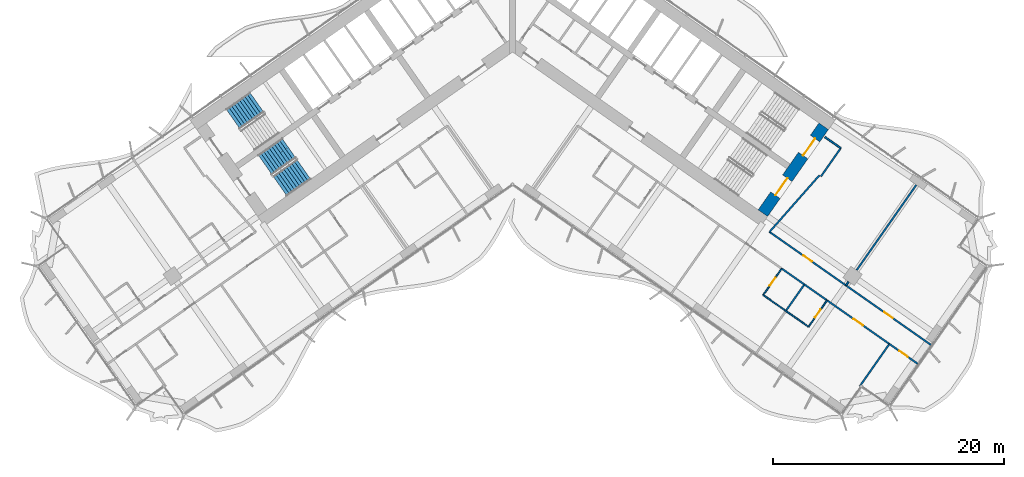
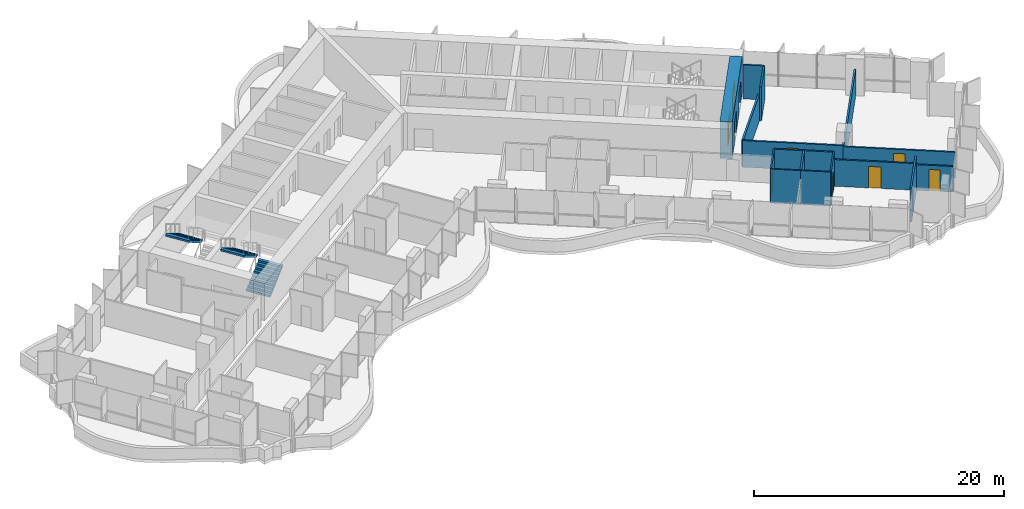
# One storey, part 15 of 22: 18 walls, 8 doors, 3 stair flights, 8 openings, 2 elements without a shape of their own.
"""IFC4 building model written with IfcOpenShell, lengths in metres."""

from ifc_helpers import new_model, si_unit, direction, frame, frame_2d, origin, place, context, subcontext, project, spatial, polyline, rectangle, outline, extrude, material, layer, layer_set, type_object, element, fill, aggregate, save


model = new_model("IFC4")

# Units and contexts
model_context = context("Model", 3, precision=1e-05, world=origin(), true_north=direction((0.0, 1.0)))
body_context = subcontext(model_context, "Body", "Model", "MODEL_VIEW")
ifc_project = project(units=[si_unit("LENGTHUNIT", "METRE"), si_unit("AREAUNIT", "SQUARE_METRE"), si_unit("VOLUMEUNIT", "CUBIC_METRE"), si_unit("PLANEANGLEUNIT", "RADIAN"), si_unit("MASSUNIT", "GRAM", prefix="KILO")], contexts=[model_context])

# Site, building, storey
site_placement = place(None, origin())
site = spatial("IfcSite", under=ifc_project, at=site_placement, CompositionType="ELEMENT")
building_placement = place(site_placement, origin())
building = spatial("IfcBuilding", under=site, at=building_placement, Name="Tel Ilan Convention Tower", CompositionType="ELEMENT")
storey_placement = place(building_placement, frame((0.0, 0.0, 122.89990234375)))
storey = spatial("IfcBuildingStorey", under=building, at=storey_placement, Name="L27", CompositionType="ELEMENT", Elevation=122.89990234375)

# Wall, openings, doors
ifc_material_1 = material(Name="Concrete C60/75", Category="concrete")
ifc_layer_1 = layer(ifc_material_1, 1.0)
ifc_layer_set_1 = layer_set([ifc_layer_1], Name="Core Shear Wall 1000 mm C60/75")
wall_type_1 = type_object("IfcWallType", Name="Core Shear Wall 1000 mm C60/75", PredefinedType="SHEAR", material=ifc_layer_set_1)
wall_1_placement = place(storey_placement, frame((21.70751953125, -15.19970703125, 0.0), z_axis=(0.0, 0.0, 1.0), x_axis=(0.573576324356, 0.819152122709, 0.0)))
wall_1 = element("IfcWall", 1, at=wall_1_placement, inside=storey, type_object=wall_type_1, Name="L27 core wall E-end", PredefinedType="SHEAR", context=body_context, shape_type="SweptSolid", body=[
    extrude(outline(polyline([(9.199951171875, 0.5), (0.0, 0.5), (0.0, -0.5), (9.199951171875, -0.5), (9.199951171875, 0.5)])), origin(), (0.0, 0.0, 1.0), 3.60009765625),
])
opening_1_placement = place(wall_1_placement, frame((6.10009765625, 0.0, 0.0)))
opening_1 = element("IfcOpeningElement", 2, at=opening_1_placement, cuts=wall_1, Name="Opening SD2103", PredefinedType="OPENING", context=body_context, shape_type="SweptSolid", body=[
    extrude(rectangle(XDim=1.800048828125, YDim=2.10009765625, at=frame_2d((0.89990234375, 1.050048828125))), frame((0.0, 0.510009765625, 0.0), z_axis=(0.0, -1.0, 0.0), x_axis=(1.0, 0.0, 0.0)), (0.0, 0.0, 1.0), 1.02001953125),
])
opening_2_placement = place(wall_1_placement, frame((1.89990234375, 0.0, 0.0)))
opening_2 = element("IfcOpeningElement", 3, at=opening_2_placement, cuts=wall_1, Name="Opening SD2104", PredefinedType="OPENING", context=body_context, shape_type="SweptSolid", body=[
    extrude(rectangle(XDim=1.800048828125, YDim=2.10009765625, at=frame_2d((0.89990234375, 1.050048828125))), frame((0.0, 0.510009765625, 0.0), z_axis=(0.0, -1.0, 0.0), x_axis=(1.0, 0.0, 0.0)), (0.0, 0.0, 1.0), 1.02001953125),
])
ifc_material_2 = material(Name="Galvanised Steel Door Leaf", Category="steel")
door_type_1 = type_object("IfcDoorType", Name="Stair Fire Door 1800 x 2100 FD60S", OperationType="NOTDEFINED", PredefinedType="DOOR", material=ifc_material_2)
door_1_placement = place(opening_1_placement, origin())
door_1 = element("IfcDoor", 4, at=door_1_placement, inside=storey, type_object=door_type_1, Name="Stair S3 door", OperationType="DOUBLE_DOOR_SINGLE_SWING", OverallHeight=2.10009765625, OverallWidth=1.800048828125, PredefinedType="DOOR", context=body_context, shape_type="SweptSolid", body=[
    extrude(rectangle(XDim=1.800048828125, YDim=2.10009765625, at=frame_2d((0.89990234375, 1.050048828125))), frame((0.0, 0.02490234375, 0.0), z_axis=(0.0, -1.0, 0.0), x_axis=(1.0, 0.0, 0.0)), (0.0, 0.0, 1.0), 0.050048828125),
])
fill(opening_1, door_1)
door_2_placement = place(opening_2_placement, origin())
door_2 = element("IfcDoor", 5, at=door_2_placement, inside=storey, type_object=door_type_1, Name="Stair S4 door", OperationType="DOUBLE_DOOR_SINGLE_SWING", OverallHeight=2.10009765625, OverallWidth=1.800048828125, PredefinedType="DOOR", context=body_context, shape_type="SweptSolid", body=[
    extrude(rectangle(XDim=1.800048828125, YDim=2.10009765625, at=frame_2d((0.89990234375, 1.050048828125))), frame((0.0, 0.02490234375, 0.0), z_axis=(0.0, -1.0, 0.0), x_axis=(1.0, 0.0, 0.0)), (0.0, 0.0, 1.0), 0.050048828125),
])
fill(opening_2, door_2)

# Wall, opening, door
ifc_material_3 = material(Name="Plasterboard on Steel Studs", Category="steel")
ifc_layer_2 = layer(ifc_material_3, 0.14990234375)
ifc_layer_set_2 = layer_set([ifc_layer_2], Name="Fire-rated Partition 150 EI 60")
wall_type_2 = type_object("IfcWallType", Name="Fire-rated Partition 150 EI 60", PredefinedType="PARTITIONING", material=ifc_layer_set_2)
wall_2_placement = place(storey_placement, frame((22.28369140625, -16.823974609375, 0.0), z_axis=(0.0, 0.0, 1.0), x_axis=(0.819152599934, -0.573575642807, 0.0)))
wall_2 = element("IfcWall", 6, at=wall_2_placement, inside=storey, type_object=wall_type_2, Name="Partition 001", PredefinedType="PARTITIONING", context=body_context, shape_type="SweptSolid", body=[
    extrude(rectangle(XDim=8.098388671875, YDim=0.14990234375, at=frame_2d((4.04931640625, 0.0))), origin(), (0.0, 0.0, 1.0), 2.60009765625),
])
opening_3_placement = place(wall_2_placement, frame((3.59912109375, 0.0, 0.0)))
opening_3 = element("IfcOpeningElement", 7, at=opening_3_placement, cuts=wall_2, Name="Opening L27-025", PredefinedType="OPENING", context=body_context, shape_type="SweptSolid", body=[
    extrude(rectangle(XDim=0.89990234375, YDim=2.10009765625, at=frame_2d((0.449951171875, 1.050048828125))), frame((0.0, 0.0849609375, 0.0), z_axis=(0.0, -1.0, 0.0), x_axis=(1.0, 0.0, 0.0)), (0.0, 0.0, 1.0), 0.169921875),
])
ifc_material_4 = material(Name="Timber Door Leaf in Steel Frame", Category="steel")
door_type_2 = type_object("IfcDoorType", Name="Room Fire Door 900x2100", OperationType="NOTDEFINED", PredefinedType="DOOR", material=ifc_material_4)
door_3_placement = place(opening_3_placement, origin())
door_3 = element("IfcDoor", 8, at=door_3_placement, inside=storey, type_object=door_type_2, Name="Door L27-025", OperationType="SINGLE_SWING_LEFT", OverallHeight=2.10009765625, OverallWidth=0.89990234375, PredefinedType="DOOR", context=body_context, shape_type="SweptSolid", body=[
    extrude(rectangle(XDim=0.89990234375, YDim=2.10009765625, at=frame_2d((0.449951171875, 1.050048828125))), frame((0.0, 0.02490234375, 0.0), z_axis=(0.0, -1.0, 0.0), x_axis=(1.0, 0.0, 0.0)), (0.0, 0.0, 1.0), 0.050048828125),
])
fill(opening_3, door_3)

wall_3_placement = place(storey_placement, frame((28.914306640625, -21.466796875, 0.0), z_axis=(0.0, 0.0, 1.0), x_axis=(0.81915291695, -0.57357519006, 0.0)))
wall_3 = element("IfcWall", 9, at=wall_3_placement, inside=storey, type_object=wall_type_2, Name="Partition 002", PredefinedType="PARTITIONING", context=body_context, shape_type="SweptSolid", body=[
    extrude(rectangle(XDim=9.001953125, YDim=0.14990234375, at=frame_2d((4.5009765625, 0.0))), origin(), (0.0, 0.0, 1.0), 2.5),
])
opening_4_placement = place(wall_3_placement, frame((4.051025390625, 0.0, 0.0)))
opening_4 = element("IfcOpeningElement", 10, at=opening_4_placement, cuts=wall_3, Name="Opening L27-026", PredefinedType="OPENING", context=body_context, shape_type="SweptSolid", body=[
    extrude(rectangle(XDim=0.89990234375, YDim=2.10009765625, at=frame_2d((0.449951171875, 1.050048828125))), frame((0.0, 0.0849609375, 0.0), z_axis=(0.0, -1.0, 0.0), x_axis=(1.0, 0.0, 0.0)), (0.0, 0.0, 1.0), 0.169921875),
])
door_4_placement = place(opening_4_placement, origin())
door_4 = element("IfcDoor", 11, at=door_4_placement, inside=storey, type_object=door_type_2, Name="Door L27-026", OperationType="SINGLE_SWING_LEFT", OverallHeight=2.10009765625, OverallWidth=0.89990234375, PredefinedType="DOOR", context=body_context, shape_type="SweptSolid", body=[
    extrude(rectangle(XDim=0.89990234375, YDim=2.10009765625, at=frame_2d((0.449951171875, 1.050048828125))), frame((0.0, 0.02490234375, 0.0), z_axis=(0.0, -1.0, 0.0), x_axis=(1.0, 0.0, 0.0)), (0.0, 0.0, 1.0), 0.050048828125),
])
fill(opening_4, door_4)

# Wall
wall_4_placement = place(storey_placement, frame((25.31298828125, -21.38671875, 0.0), z_axis=(0.0, 0.0, 1.0), x_axis=(-0.819146032251, 0.573585022335, 0.0)))
element("IfcWall", 12, at=wall_4_placement, inside=storey, type_object=wall_type_2, Name="Partition 008", PredefinedType="PARTITIONING", context=body_context, shape_type="SweptSolid", body=[
    extrude(rectangle(XDim=2.404052734375, YDim=0.14990234375, at=frame_2d((1.2021484375, 0.0))), origin(), (0.0, 0.0, 1.0), 3.320068359375),
])

# Wall, opening, door
wall_5_placement = place(storey_placement, frame((32.685302734375, -26.548828125, 0.0), z_axis=(0.0, 0.0, 1.0), x_axis=(-0.819153746897, 0.573574004767, 0.0)))
wall_5 = element("IfcWall", 13, at=wall_5_placement, inside=storey, type_object=wall_type_2, Name="Partition 009", PredefinedType="PARTITIONING", context=body_context, shape_type="SweptSolid", body=[
    extrude(rectangle(XDim=6.60302734375, YDim=0.14990234375, at=frame_2d((3.301513671875, 0.0))), origin(), (0.0, 0.0, 1.0), 2.60009765625),
])
opening_5_placement = place(wall_5_placement, frame((2.802001953125, 0.0, 0.0)))
opening_5 = element("IfcOpeningElement", 14, at=opening_5_placement, cuts=wall_5, Name="Opening L27-023", PredefinedType="OPENING", context=body_context, shape_type="SweptSolid", body=[
    extrude(rectangle(XDim=1.0, YDim=2.10009765625, at=frame_2d((0.5, 1.050048828125))), frame((0.0, 0.0849609375, 0.0), z_axis=(0.0, -1.0, 0.0), x_axis=(1.0, 0.0, 0.0)), (0.0, 0.0, 1.0), 0.169921875),
])
ifc_material_5 = material(Name="Timber Door Leaf in Steel Frame", Category="steel")
door_type_3 = type_object("IfcDoorType", Name="Hotel Room Entrance Fire Door 1000x2100", OperationType="NOTDEFINED", PredefinedType="DOOR", material=ifc_material_5)
door_5_placement = place(opening_5_placement, origin())
door_5 = element("IfcDoor", 15, at=door_5_placement, inside=storey, type_object=door_type_3, Name="Door L27-023", OperationType="SINGLE_SWING_RIGHT", OverallHeight=2.10009765625, OverallWidth=1.0, PredefinedType="DOOR", context=body_context, shape_type="SweptSolid", body=[
    extrude(rectangle(XDim=1.0, YDim=2.10009765625, at=frame_2d((0.5, 1.050048828125))), frame((0.0, 0.02490234375, 0.0), z_axis=(0.0, -1.0, 0.0), x_axis=(1.0, 0.0, 0.0)), (0.0, 0.0, 1.0), 0.050048828125),
])
fill(opening_5, door_5)

# Wall
wall_6_placement = place(storey_placement, frame((27.27880859375, -22.76318359375, 0.0), z_axis=(0.0, 0.0, 1.0), x_axis=(-0.819146032251, 0.573585022335, 0.0)))
element("IfcWall", 16, at=wall_6_placement, inside=storey, type_object=wall_type_2, Name="Partition 010", PredefinedType="PARTITIONING", context=body_context, shape_type="SweptSolid", body=[
    extrude(rectangle(XDim=2.404052734375, YDim=0.14990234375, at=frame_2d((1.2021484375, 0.0))), origin(), (0.0, 0.0, 1.0), 3.320068359375),
])

# Wall, opening, door
wall_7_placement = place(storey_placement, frame((35.14111328125, -28.268310546875, 0.0), z_axis=(0.0, 0.0, 1.0), x_axis=(-0.81915932427, 0.57356603932, 0.0)))
wall_7 = element("IfcWall", 17, at=wall_7_placement, inside=storey, type_object=wall_type_2, Name="Partition 011", PredefinedType="PARTITIONING", context=body_context, shape_type="SweptSolid", body=[
    extrude(rectangle(XDim=3.002197265625, YDim=0.14990234375, at=frame_2d((1.5009765625, 0.0))), origin(), (0.0, 0.0, 1.0), 2.5),
])
opening_6_placement = place(wall_7_placement, frame((1.051025390625, 0.0, 0.0)))
opening_6 = element("IfcOpeningElement", 18, at=opening_6_placement, cuts=wall_7, Name="Opening L27-024", PredefinedType="OPENING", context=body_context, shape_type="SweptSolid", body=[
    extrude(rectangle(XDim=0.89990234375, YDim=2.10009765625, at=frame_2d((0.449951171875, 1.050048828125))), frame((0.0, 0.0849609375, 0.0), z_axis=(0.0, -1.0, 0.0), x_axis=(1.0, 0.0, 0.0)), (0.0, 0.0, 1.0), 0.169921875),
])
door_6_placement = place(opening_6_placement, origin())
door_6 = element("IfcDoor", 19, at=door_6_placement, inside=storey, type_object=door_type_2, Name="Door L27-024", OperationType="SINGLE_SWING_LEFT", OverallHeight=2.10009765625, OverallWidth=0.89990234375, PredefinedType="DOOR", context=body_context, shape_type="SweptSolid", body=[
    extrude(rectangle(XDim=0.89990234375, YDim=2.10009765625, at=frame_2d((0.449951171875, 1.050048828125))), frame((0.0, 0.02490234375, 0.0), z_axis=(0.0, -1.0, 0.0), x_axis=(1.0, 0.0, 0.0)), (0.0, 0.0, 1.0), 0.050048828125),
])
fill(opening_6, door_6)

# Walls
wall_8_placement = place(storey_placement, frame((35.012939453125, -12.76025390625, 0.0), z_axis=(0.0, 0.0, 1.0), x_axis=(-0.573558725113, -0.819164445546, 0.0)))
element("IfcWall", 20, at=wall_8_placement, inside=storey, type_object=wall_type_2, Name="Partition 027", PredefinedType="PARTITIONING", context=body_context, shape_type="SweptSolid", body=[
    extrude(rectangle(XDim=9.010009765625, YDim=0.14990234375, at=frame_2d((4.5048828125, 0.0))), origin(), (0.0, 0.0, 1.0), 2.60009765625),
])
wall_9_placement = place(storey_placement, frame((29.1337890625, -21.156494140625, 0.0), z_axis=(0.0, 0.0, 1.0), x_axis=(-0.572944929411, -0.819593867633, 0.0)))
element("IfcWall", 21, at=wall_9_placement, inside=storey, type_object=wall_type_2, Name="Partition 028", PredefinedType="PARTITIONING", context=body_context, shape_type="SweptSolid", body=[
    extrude(rectangle(XDim=0.380126953125, YDim=0.14990234375, at=frame_2d((0.18994140625, 0.0))), origin(), (0.0, 0.0, 1.0), 2.60009765625),
])
wall_10_placement = place(storey_placement, frame((22.285400390625, -16.8251953125, 0.0), z_axis=(0.0, 0.0, 1.0), x_axis=(0.661551268245, 0.749899939647, 0.0)))
element("IfcWall", 22, at=wall_10_placement, inside=storey, type_object=wall_type_2, Name="Partition 029", PredefinedType="PARTITIONING", context=body_context, shape_type="SweptSolid", body=[
    extrude(rectangle(XDim=6.541015625, YDim=0.14990234375, at=frame_2d((3.2705078125, 0.0))), origin(), (0.0, 0.0, 1.0), 2.60009765625),
])
wall_11_placement = place(storey_placement, frame((26.74609375, -12.013671875, 0.0), z_axis=(0.0, 0.0, 1.0), x_axis=(0.573560650686, 0.819163097304, 0.0)))
element("IfcWall", 23, at=wall_11_placement, inside=storey, type_object=wall_type_2, Name="Partition 030", PredefinedType="PARTITIONING", context=body_context, shape_type="SweptSolid", body=[
    extrude(rectangle(XDim=3.0, YDim=0.14990234375, at=frame_2d((1.5, 0.0))), origin(), (0.0, 0.0, 1.0), 3.320068359375),
])
wall_12_placement = place(storey_placement, frame((28.466796875, -9.55615234375, 0.0), z_axis=(0.0, 0.0, 1.0), x_axis=(-0.819109000826, 0.573637903879, 0.0)))
element("IfcWall", 24, at=wall_12_placement, inside=storey, type_object=wall_type_2, Name="Partition 031", PredefinedType="PARTITIONING", context=body_context, shape_type="SweptSolid", body=[
    extrude(rectangle(XDim=1.679931640625, YDim=0.14990234375, at=frame_2d((0.83984375, 0.0))), origin(), (0.0, 0.0, 1.0), 3.320068359375),
])
wall_13_placement = place(storey_placement, frame((25.311279296875, -21.385498046875, 0.0), z_axis=(0.0, 0.0, 1.0), x_axis=(-0.573550118428, -0.819170471667, 0.0)))
element("IfcWall", 25, at=wall_13_placement, inside=storey, type_object=wall_type_2, Name="Partition 043", PredefinedType="PARTITIONING", context=body_context, shape_type="SweptSolid", body=[
    extrude(rectangle(XDim=2.800048828125, YDim=0.14990234375, at=frame_2d((1.39990234375, 0.0))), origin(), (0.0, 0.0, 1.0), 3.320068359375),
])
wall_14_placement = place(storey_placement, frame((32.68359375, -26.547607421875, 0.0), z_axis=(0.0, 0.0, 1.0), x_axis=(-0.573564243949, -0.819160581365, 0.0)))
element("IfcWall", 26, at=wall_14_placement, inside=storey, type_object=wall_type_2, Name="Partition 046", PredefinedType="PARTITIONING", context=body_context, shape_type="SweptSolid", body=[
    extrude(rectangle(XDim=4.502197265625, YDim=0.14990234375, at=frame_2d((2.2509765625, 0.0))), origin(), (0.0, 0.0, 1.0), 3.320068359375),
])

# Wall, opening, door
ifc_material_6 = material(Name="Plasterboard on Steel Studs", Category="steel")
ifc_layer_3 = layer(ifc_material_6, 0.1201171875)
ifc_layer_set_3 = layer_set([ifc_layer_3], Name="Moisture-resistant Partition 120")
wall_type_3 = type_object("IfcWallType", Name="Moisture-resistant Partition 120", PredefinedType="PARTITIONING", material=ifc_layer_set_3)
wall_15_placement = place(storey_placement, frame((23.344482421875, -20.00830078125, 0.0), z_axis=(0.0, 0.0, 1.0), x_axis=(-0.573550118428, -0.819170471667, 0.0)))
wall_15 = element("IfcWall", 27, at=wall_15_placement, inside=storey, type_object=wall_type_3, Name="Partition 040", PredefinedType="PARTITIONING", context=body_context, shape_type="SweptSolid", body=[
    extrude(rectangle(XDim=2.800048828125, YDim=0.1201171875, at=frame_2d((1.39990234375, 0.0))), origin(), (0.0, 0.0, 1.0), 3.320068359375),
])
opening_7_placement = place(wall_15_placement, frame((0.97509765625, 0.0, 0.0)))
opening_7 = element("IfcOpeningElement", 28, at=opening_7_placement, cuts=wall_15, Name="Opening L27-020", PredefinedType="OPENING", context=body_context, shape_type="SweptSolid", body=[
    extrude(rectangle(XDim=0.85009765625, YDim=2.050048828125, at=frame_2d((0.425048828125, 1.02490234375))), frame((0.0, 0.070068359375, 0.0), z_axis=(0.0, -1.0, 0.0), x_axis=(1.0, 0.0, 0.0)), (0.0, 0.0, 1.0), 0.14013671875),
])
ifc_material_7 = material(Name="Timber Door Leaf in Steel Frame", Category="steel")
door_type_4 = type_object("IfcDoorType", Name="Bathroom Timber Door 850x2050", OperationType="NOTDEFINED", PredefinedType="DOOR", material=ifc_material_7)
door_7_placement = place(opening_7_placement, origin())
door_7 = element("IfcDoor", 29, at=door_7_placement, inside=storey, type_object=door_type_4, Name="Door L27-020", OperationType="SINGLE_SWING_RIGHT", OverallHeight=2.050048828125, OverallWidth=0.85009765625, PredefinedType="DOOR", context=body_context, shape_type="SweptSolid", body=[
    extrude(rectangle(XDim=0.85009765625, YDim=2.050048828125, at=frame_2d((0.425048828125, 1.02490234375))), frame((0.0, 0.02490234375, 0.0), z_axis=(0.0, -1.0, 0.0), x_axis=(1.0, 0.0, 0.0)), (0.0, 0.0, 1.0), 0.050048828125),
])
fill(opening_7, door_7)

# Walls
for number, where, z_axis, x_axis, name in (
    (30, (21.73876953125, -22.30322265625, 0.0), (0.0, 0.0, 1.0), (0.819107643868, -0.573639841501, 0.0), "Partition 041"),
    (31, (23.70458984375, -23.679931640625, 0.0), (0.0, 0.0, 1.0), (0.819188907105, -0.573523787192, 0.0), "Partition 044"),
):
    element("IfcWall", number, at=place(storey_placement, frame(where, z_axis=z_axis, x_axis=x_axis)), inside=storey, type_object=wall_type_3, Name=name, PredefinedType="PARTITIONING", context=body_context, shape_type="SweptSolid", body=[
        extrude(rectangle(XDim=2.39990234375, YDim=0.1201171875, at=frame_2d((1.199951171875, 0.0))), origin(), (0.0, 0.0, 1.0), 3.320068359375),
    ])

# Wall, opening, door
wall_16_placement = place(storey_placement, frame((25.672119140625, -25.056396484375, 0.0), z_axis=(0.0, 0.0, 1.0), x_axis=(0.573550118428, 0.819170471667, 0.0)))
wall_16 = element("IfcWall", 32, at=wall_16_placement, inside=storey, type_object=wall_type_3, Name="Partition 045", PredefinedType="PARTITIONING", context=body_context, shape_type="SweptSolid", body=[
    extrude(rectangle(XDim=2.800048828125, YDim=0.1201171875, at=frame_2d((1.39990234375, 0.0))), origin(), (0.0, 0.0, 1.0), 3.320068359375),
])
opening_8_placement = place(wall_16_placement, frame((0.97509765625, 0.0, 0.0)))
opening_8 = element("IfcOpeningElement", 33, at=opening_8_placement, cuts=wall_16, Name="Opening L27-022", PredefinedType="OPENING", context=body_context, shape_type="SweptSolid", body=[
    extrude(rectangle(XDim=0.85009765625, YDim=2.050048828125, at=frame_2d((0.425048828125, 1.02490234375))), frame((0.0, 0.070068359375, 0.0), z_axis=(0.0, -1.0, 0.0), x_axis=(1.0, 0.0, 0.0)), (0.0, 0.0, 1.0), 0.14013671875),
])
door_8_placement = place(opening_8_placement, origin())
door_8 = element("IfcDoor", 34, at=door_8_placement, inside=storey, type_object=door_type_4, Name="Door L27-022", OperationType="SINGLE_SWING_RIGHT", OverallHeight=2.050048828125, OverallWidth=0.85009765625, PredefinedType="DOOR", context=body_context, shape_type="SweptSolid", body=[
    extrude(rectangle(XDim=0.85009765625, YDim=2.050048828125, at=frame_2d((0.425048828125, 1.02490234375))), frame((0.0, 0.02490234375, 0.0), z_axis=(0.0, -1.0, 0.0), x_axis=(1.0, 0.0, 0.0)), (0.0, 0.0, 1.0), 0.050048828125),
])
fill(opening_8, door_8)

# Stair, stair flight
ifc_material_8 = material(Name="Concrete C40/50", Category="concrete")
stair_type = type_object("IfcStairType", Name="Pressurised Exit Stair 20 risers 180 mm", PredefinedType="HALF_TURN_STAIR", material=ifc_material_8)
stair_1_placement = place(storey_placement, origin())
stair_1 = element("IfcStair", 35, at=stair_1_placement, inside=storey, type_object=stair_type, Name="L27 Pressurised Stair S1", PredefinedType="HALF_TURN_STAIR")
ifc_material_9 = material(Name="Precast Concrete C40/50", Category="concrete")
stair_flight_type = type_object("IfcStairFlightType", Name="Concrete Stair Flight 2100 mm 20 risers 180 mm", PredefinedType="STRAIGHT", material=ifc_material_9)
stair_flight_1_placement = place(storey_placement, frame((-22.188232421875, -5.5869140625, 1.800048828125), z_axis=(0.0, 0.0, 1.0), x_axis=(-0.819152044289, -0.573576436351, 0.0)))
stair_flight_1 = element("IfcStairFlight", 36, at=stair_flight_1_placement, type_object=stair_flight_type, Name="S1 flight 2", NumberOfRisers=10, NumberOfTreads=9, PredefinedType="STRAIGHT", RiserHeight=0.18, TreadLength=0.28, context=body_context, shape_type="SweptSolid", body=[
    extrude(outline(polyline([(0.0, 0.0), (0.0, 0.179931640625), (0.280029296875, 0.179931640625), (0.280029296875, 0.360107421875), (0.56005859375, 0.360107421875), (0.56005859375, 0.5400390625), (0.840087890625, 0.5400390625), (0.840087890625, 0.719970703125), (1.1201171875, 0.719970703125), (1.1201171875, 0.89990234375), (1.39990234375, 0.89990234375), (1.39990234375, 1.080078125), (1.679931640625, 1.080078125), (1.679931640625, 1.260009765625), (1.9599609375, 1.260009765625), (1.9599609375, 1.43994140625), (2.239990234375, 1.43994140625), (2.239990234375, 1.6201171875), (2.52001953125, 1.6201171875), (2.52001953125, 1.800048828125), (2.52001953125, 1.44189453125), (0.277099609375, 0.0), (0.0, 0.0)])), frame((0.0, -0.100341796875, 0.0), z_axis=(0.0, -1.0, 0.0), x_axis=(1.0, 0.0, 0.0)), (0.0, 0.0, 1.0), 0.94970703125),
    extrude(outline(polyline([(0.0, 0.0), (0.0, 0.179931640625), (0.280029296875, 0.179931640625), (0.280029296875, 0.360107421875), (0.56005859375, 0.360107421875), (0.56005859375, 0.5400390625), (0.840087890625, 0.5400390625), (0.840087890625, 0.719970703125), (1.1201171875, 0.719970703125), (1.1201171875, 0.89990234375), (1.39990234375, 0.89990234375), (1.39990234375, 1.080078125), (1.679931640625, 1.080078125), (1.679931640625, 1.260009765625), (1.9599609375, 1.260009765625), (1.9599609375, 1.43994140625), (2.239990234375, 1.43994140625), (2.239990234375, 1.6201171875), (2.52001953125, 1.6201171875), (2.52001953125, 1.800048828125), (2.52001953125, 1.44189453125), (0.277099609375, 0.0), (0.0, 0.0)])), frame((0.0, -0.000244140625, 0.0), z_axis=(0.0, -1.0, 0.0), x_axis=(1.0, 0.0, 0.0)), (0.0, 0.0, 1.0), 0.099609375),
    extrude(outline(polyline([(0.0, 0.0), (0.0, 0.179931640625), (0.280029296875, 0.179931640625), (0.280029296875, 0.360107421875), (0.56005859375, 0.360107421875), (0.56005859375, 0.5400390625), (0.840087890625, 0.5400390625), (0.840087890625, 0.719970703125), (1.1201171875, 0.719970703125), (1.1201171875, 0.89990234375), (1.39990234375, 0.89990234375), (1.39990234375, 1.080078125), (1.679931640625, 1.080078125), (1.679931640625, 1.260009765625), (1.9599609375, 1.260009765625), (1.9599609375, 1.43994140625), (2.239990234375, 1.43994140625), (2.239990234375, 1.6201171875), (2.52001953125, 1.6201171875), (2.52001953125, 1.800048828125), (2.52001953125, 1.44189453125), (0.277099609375, 0.0), (0.0, 0.0)])), frame((0.0, 0.099853515625, 0.0), z_axis=(0.0, -1.0, 0.0), x_axis=(1.0, 0.0, 0.0)), (0.0, 0.0, 1.0), 0.099609375),
    extrude(outline(polyline([(0.0, 0.0), (0.0, 0.179931640625), (0.280029296875, 0.179931640625), (0.280029296875, 0.360107421875), (0.56005859375, 0.360107421875), (0.56005859375, 0.5400390625), (0.840087890625, 0.5400390625), (0.840087890625, 0.719970703125), (1.1201171875, 0.719970703125), (1.1201171875, 0.89990234375), (1.39990234375, 0.89990234375), (1.39990234375, 1.080078125), (1.679931640625, 1.080078125), (1.679931640625, 1.260009765625), (1.9599609375, 1.260009765625), (1.9599609375, 1.43994140625), (2.239990234375, 1.43994140625), (2.239990234375, 1.6201171875), (2.52001953125, 1.6201171875), (2.52001953125, 1.800048828125), (2.52001953125, 1.44189453125), (0.277099609375, 0.0), (0.0, 0.0)])), frame((0.0, 1.050048828125, 0.0), z_axis=(0.0, -1.0, 0.0), x_axis=(1.0, 0.0, 0.0)), (0.0, 0.0, 1.0), 0.94970703125),
])
aggregate(stair_1, [stair_flight_1])

# Stair, stair flights
stair_2_placement = place(storey_placement, origin())
stair_2 = element("IfcStair", 37, at=stair_2_placement, inside=storey, type_object=stair_type, Name="L27 Pressurised Stair S2", PredefinedType="HALF_TURN_STAIR")
stair_flight_2_placement = place(storey_placement, frame((-20.179931640625, -12.848388671875, 0.0), z_axis=(0.0, 0.0, 1.0), x_axis=(0.819152044289, 0.573576436351, 0.0)))
stair_flight_2 = element("IfcStairFlight", 38, at=stair_flight_2_placement, type_object=stair_flight_type, Name="S2 flight 1", NumberOfRisers=10, NumberOfTreads=9, PredefinedType="STRAIGHT", RiserHeight=0.18, TreadLength=0.28, context=body_context, shape_type="SweptSolid", body=[
    extrude(outline(polyline([(0.0, 0.0), (0.0, 0.179931640625), (0.280029296875, 0.179931640625), (0.280029296875, 0.360107421875), (0.56005859375, 0.360107421875), (0.56005859375, 0.5400390625), (0.840087890625, 0.5400390625), (0.840087890625, 0.719970703125), (1.1201171875, 0.719970703125), (1.1201171875, 0.89990234375), (1.39990234375, 0.89990234375), (1.39990234375, 1.080078125), (1.679931640625, 1.080078125), (1.679931640625, 1.260009765625), (1.9599609375, 1.260009765625), (1.9599609375, 1.43994140625), (2.239990234375, 1.43994140625), (2.239990234375, 1.6201171875), (2.52001953125, 1.6201171875), (2.52001953125, 1.800048828125), (2.52001953125, 1.44189453125), (0.277099609375, 0.0), (0.0, 0.0)])), frame((0.0, -0.100341796875, 0.0), z_axis=(0.0, -1.0, 0.0), x_axis=(1.0, 0.0, 0.0)), (0.0, 0.0, 1.0), 0.94970703125),
    extrude(outline(polyline([(0.0, 0.0), (0.0, 0.179931640625), (0.280029296875, 0.179931640625), (0.280029296875, 0.360107421875), (0.56005859375, 0.360107421875), (0.56005859375, 0.5400390625), (0.840087890625, 0.5400390625), (0.840087890625, 0.719970703125), (1.1201171875, 0.719970703125), (1.1201171875, 0.89990234375), (1.39990234375, 0.89990234375), (1.39990234375, 1.080078125), (1.679931640625, 1.080078125), (1.679931640625, 1.260009765625), (1.9599609375, 1.260009765625), (1.9599609375, 1.43994140625), (2.239990234375, 1.43994140625), (2.239990234375, 1.6201171875), (2.52001953125, 1.6201171875), (2.52001953125, 1.800048828125), (2.52001953125, 1.44189453125), (0.277099609375, 0.0), (0.0, 0.0)])), frame((0.0, -0.000244140625, 0.0), z_axis=(0.0, -1.0, 0.0), x_axis=(1.0, 0.0, 0.0)), (0.0, 0.0, 1.0), 0.099609375),
    extrude(outline(polyline([(0.0, 0.0), (0.0, 0.179931640625), (0.280029296875, 0.179931640625), (0.280029296875, 0.360107421875), (0.56005859375, 0.360107421875), (0.56005859375, 0.5400390625), (0.840087890625, 0.5400390625), (0.840087890625, 0.719970703125), (1.1201171875, 0.719970703125), (1.1201171875, 0.89990234375), (1.39990234375, 0.89990234375), (1.39990234375, 1.080078125), (1.679931640625, 1.080078125), (1.679931640625, 1.260009765625), (1.9599609375, 1.260009765625), (1.9599609375, 1.43994140625), (2.239990234375, 1.43994140625), (2.239990234375, 1.6201171875), (2.52001953125, 1.6201171875), (2.52001953125, 1.800048828125), (2.52001953125, 1.44189453125), (0.277099609375, 0.0), (0.0, 0.0)])), frame((0.0, 0.099853515625, 0.0), z_axis=(0.0, -1.0, 0.0), x_axis=(1.0, 0.0, 0.0)), (0.0, 0.0, 1.0), 0.099609375),
    extrude(outline(polyline([(0.0, 0.0), (0.0, 0.179931640625), (0.280029296875, 0.179931640625), (0.280029296875, 0.360107421875), (0.56005859375, 0.360107421875), (0.56005859375, 0.5400390625), (0.840087890625, 0.5400390625), (0.840087890625, 0.719970703125), (1.1201171875, 0.719970703125), (1.1201171875, 0.89990234375), (1.39990234375, 0.89990234375), (1.39990234375, 1.080078125), (1.679931640625, 1.080078125), (1.679931640625, 1.260009765625), (1.9599609375, 1.260009765625), (1.9599609375, 1.43994140625), (2.239990234375, 1.43994140625), (2.239990234375, 1.6201171875), (2.52001953125, 1.6201171875), (2.52001953125, 1.800048828125), (2.52001953125, 1.44189453125), (0.277099609375, 0.0), (0.0, 0.0)])), frame((0.0, 1.050048828125, 0.0), z_axis=(0.0, -1.0, 0.0), x_axis=(1.0, 0.0, 0.0)), (0.0, 0.0, 1.0), 0.94970703125),
])
stair_flight_3_placement = place(storey_placement, frame((-19.40625, -9.559814453125, 1.800048828125), z_axis=(0.0, 0.0, 1.0), x_axis=(-0.819152044289, -0.573576436351, 0.0)))
stair_flight_3 = element("IfcStairFlight", 39, at=stair_flight_3_placement, type_object=stair_flight_type, Name="S2 flight 2", NumberOfRisers=10, NumberOfTreads=9, PredefinedType="STRAIGHT", RiserHeight=0.18, TreadLength=0.28, context=body_context, shape_type="SweptSolid", body=[
    extrude(outline(polyline([(0.0, 0.0), (0.0, 0.179931640625), (0.280029296875, 0.179931640625), (0.280029296875, 0.360107421875), (0.56005859375, 0.360107421875), (0.56005859375, 0.5400390625), (0.840087890625, 0.5400390625), (0.840087890625, 0.719970703125), (1.1201171875, 0.719970703125), (1.1201171875, 0.89990234375), (1.39990234375, 0.89990234375), (1.39990234375, 1.080078125), (1.679931640625, 1.080078125), (1.679931640625, 1.260009765625), (1.9599609375, 1.260009765625), (1.9599609375, 1.43994140625), (2.239990234375, 1.43994140625), (2.239990234375, 1.6201171875), (2.52001953125, 1.6201171875), (2.52001953125, 1.800048828125), (2.52001953125, 1.44189453125), (0.277099609375, 0.0), (0.0, 0.0)])), frame((0.0, -0.100341796875, 0.0), z_axis=(0.0, -1.0, 0.0), x_axis=(1.0, 0.0, 0.0)), (0.0, 0.0, 1.0), 0.94970703125),
    extrude(outline(polyline([(0.0, 0.0), (0.0, 0.179931640625), (0.280029296875, 0.179931640625), (0.280029296875, 0.360107421875), (0.56005859375, 0.360107421875), (0.56005859375, 0.5400390625), (0.840087890625, 0.5400390625), (0.840087890625, 0.719970703125), (1.1201171875, 0.719970703125), (1.1201171875, 0.89990234375), (1.39990234375, 0.89990234375), (1.39990234375, 1.080078125), (1.679931640625, 1.080078125), (1.679931640625, 1.260009765625), (1.9599609375, 1.260009765625), (1.9599609375, 1.43994140625), (2.239990234375, 1.43994140625), (2.239990234375, 1.6201171875), (2.52001953125, 1.6201171875), (2.52001953125, 1.800048828125), (2.52001953125, 1.44189453125), (0.277099609375, 0.0), (0.0, 0.0)])), frame((0.0, -0.000244140625, 0.0), z_axis=(0.0, -1.0, 0.0), x_axis=(1.0, 0.0, 0.0)), (0.0, 0.0, 1.0), 0.099609375),
    extrude(outline(polyline([(0.0, 0.0), (0.0, 0.179931640625), (0.280029296875, 0.179931640625), (0.280029296875, 0.360107421875), (0.56005859375, 0.360107421875), (0.56005859375, 0.5400390625), (0.840087890625, 0.5400390625), (0.840087890625, 0.719970703125), (1.1201171875, 0.719970703125), (1.1201171875, 0.89990234375), (1.39990234375, 0.89990234375), (1.39990234375, 1.080078125), (1.679931640625, 1.080078125), (1.679931640625, 1.260009765625), (1.9599609375, 1.260009765625), (1.9599609375, 1.43994140625), (2.239990234375, 1.43994140625), (2.239990234375, 1.6201171875), (2.52001953125, 1.6201171875), (2.52001953125, 1.800048828125), (2.52001953125, 1.44189453125), (0.277099609375, 0.0), (0.0, 0.0)])), frame((0.0, 0.099853515625, 0.0), z_axis=(0.0, -1.0, 0.0), x_axis=(1.0, 0.0, 0.0)), (0.0, 0.0, 1.0), 0.099609375),
    extrude(outline(polyline([(0.0, 0.0), (0.0, 0.179931640625), (0.280029296875, 0.179931640625), (0.280029296875, 0.360107421875), (0.56005859375, 0.360107421875), (0.56005859375, 0.5400390625), (0.840087890625, 0.5400390625), (0.840087890625, 0.719970703125), (1.1201171875, 0.719970703125), (1.1201171875, 0.89990234375), (1.39990234375, 0.89990234375), (1.39990234375, 1.080078125), (1.679931640625, 1.080078125), (1.679931640625, 1.260009765625), (1.9599609375, 1.260009765625), (1.9599609375, 1.43994140625), (2.239990234375, 1.43994140625), (2.239990234375, 1.6201171875), (2.52001953125, 1.6201171875), (2.52001953125, 1.800048828125), (2.52001953125, 1.44189453125), (0.277099609375, 0.0), (0.0, 0.0)])), frame((0.0, 1.050048828125, 0.0), z_axis=(0.0, -1.0, 0.0), x_axis=(1.0, 0.0, 0.0)), (0.0, 0.0, 1.0), 0.94970703125),
])
aggregate(stair_2, [stair_flight_2, stair_flight_3])

save(model, "model.ifc")
